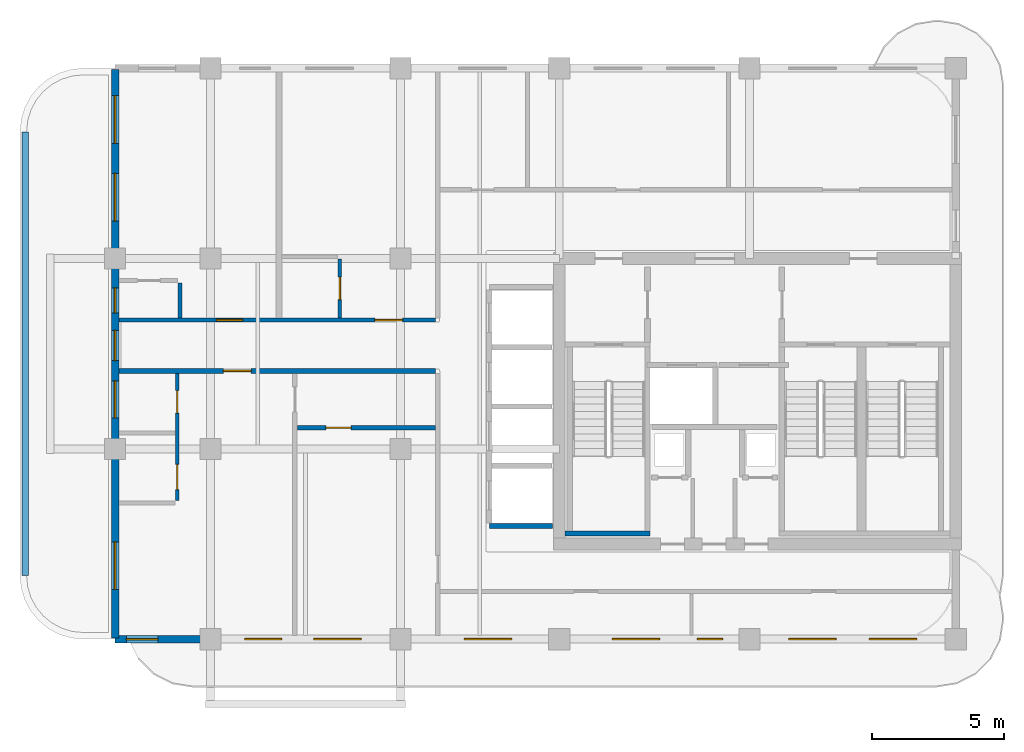
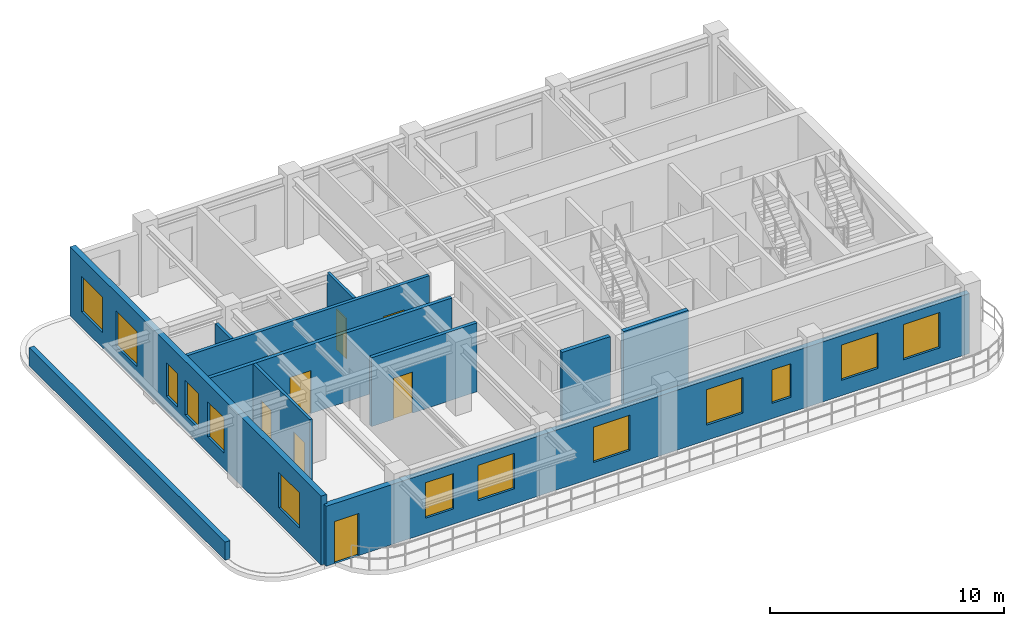
# One storey, part 2 of 7: 13 windows, 11 walls, 8 doors, 21 openings.
"""IFC4 building model written with IfcOpenShell, lengths in metres."""

from ifc_helpers import new_model, si_unit, derived_unit, direction, frame, frame_2d, origin, place, context, subcontext, project, spatial, rectangle, extrude, source, transform, mapped, material, layer, layer_set, type_object, type_shapes, element, fill, save


model = new_model("IFC4")

# Units and contexts
model_context = context("Model", 3, precision=1e-05, world=origin(), true_north=direction((0.0, 1.0)))
body_context = subcontext(model_context, "Body", "Model", "MODEL_VIEW")
ifc_project = project(units=[si_unit("LENGTHUNIT", "METRE"), si_unit("AREAUNIT", "SQUARE_METRE"), si_unit("VOLUMEUNIT", "CUBIC_METRE"), si_unit("PLANEANGLEUNIT", "RADIAN"), si_unit("MASSUNIT", "GRAM", prefix="KILO"), si_unit("THERMODYNAMICTEMPERATUREUNIT", "KELVIN"), si_unit("POWERUNIT", "WATT"), derived_unit("THERMALTRANSMITTANCEUNIT", [(si_unit("POWERUNIT", "WATT"), 1), (si_unit("AREAUNIT", "SQUARE_METRE"), -1), (si_unit("THERMODYNAMICTEMPERATUREUNIT", "KELVIN"), -1)])], contexts=[model_context])

# Site, building, storey
site_placement = place(None, origin())
site = spatial("IfcSite", under=ifc_project, at=site_placement, CompositionType="ELEMENT")
building_placement = place(site_placement, origin())
building = spatial("IfcBuilding", under=site, at=building_placement, Name="Zahravan Archway Hotel and Residences", CompositionType="ELEMENT")
storey_placement = place(building_placement, frame((0.0, 0.0, 251.949951171875)))
storey = spatial("IfcBuildingStorey", under=building, at=storey_placement, Name="L63", CompositionType="ELEMENT", Elevation=251.949951171875)

# Wall, openings, door, windows
ifc_material_1 = material(Name="Honed Red-Ochre Sandstone & Insulated Block", Category="masonry")
ifc_layer_1 = layer(ifc_material_1, 0.280029296875, Name="Honed Red-Ochre Sandstone & Insulated Block", Category="masonry")
ifc_layer_set_1 = layer_set([ifc_layer_1], Name="Honed Red-Ochre Sandstone & Insulated Block")
wall_type_1 = type_object("IfcWallType", Name="EW-LOG-280", PredefinedType="SOLIDWALL", material=ifc_layer_set_1)
wall_1_placement = place(storey_placement, frame((18.0, 0.0, 0.0), z_axis=(0.0, 0.0, 1.0), x_axis=(1.0, 0.0, 0.0)))
wall_1 = element("IfcWall", 1, at=wall_1_placement, inside=storey, type_object=wall_type_1, Name="L63 Exterior Sandstone Wall WA-S", PredefinedType="SOLIDWALL", context=body_context, shape_type="SweptSolid", body=[
    extrude(rectangle(XDim=31.800048828125, YDim=0.280029296875, at=frame_2d((15.89990234375, 0.0))), origin(), (0.0, 0.0, 1.0), 3.135009765625),
])
opening_1_placement = place(wall_1_placement, frame((0.419921875, 0.0, 0.0)))
opening_1 = element("IfcOpeningElement", 2, at=opening_1_placement, cuts=wall_1, Name="Opening ED-BL1", PredefinedType="OPENING", context=body_context, shape_type="SweptSolid", body=[
    extrude(rectangle(XDim=1.199951171875, YDim=2.199951171875, at=frame_2d((0.60009765625, 1.10009765625))), frame((0.0, 0.14990234375, 0.0), z_axis=(0.0, -1.0, 0.0), x_axis=(1.0, 0.0, 0.0)), (0.0, 0.0, 1.0), 0.300048828125),
])
opening_2_placement = place(wall_1_placement, frame((4.89599609375, 0.0, 0.800048828125)))
opening_2 = element("IfcOpeningElement", 3, at=opening_2_placement, cuts=wall_1, Name="Opening W-03", PredefinedType="OPENING", context=body_context, shape_type="SweptSolid", body=[
    extrude(rectangle(XDim=1.39990234375, YDim=1.85009765625, at=frame_2d((0.699951171875, 0.925048828125))), frame((0.0, 0.14990234375, 0.0), z_axis=(0.0, -1.0, 0.0), x_axis=(1.0, 0.0, 0.0)), (0.0, 0.0, 1.0), 0.300048828125),
])
opening_3_placement = place(wall_1_placement, frame((7.50390625, 0.0, 0.800048828125)))
opening_3 = element("IfcOpeningElement", 4, at=opening_3_placement, cuts=wall_1, Name="Opening W-02", PredefinedType="OPENING", context=body_context, shape_type="SweptSolid", body=[
    extrude(rectangle(XDim=1.800048828125, YDim=1.85009765625, at=frame_2d((0.89990234375, 0.925048828125))), frame((0.0, 0.14990234375, 0.0), z_axis=(0.0, -1.0, 0.0), x_axis=(1.0, 0.0, 0.0)), (0.0, 0.0, 1.0), 0.300048828125),
])
opening_4_placement = place(wall_1_placement, frame((13.2041015625, 0.0, 0.800048828125)))
opening_4 = element("IfcOpeningElement", 5, at=opening_4_placement, cuts=wall_1, Name="Opening W-02", PredefinedType="OPENING", context=body_context, shape_type="SweptSolid", body=[
    extrude(rectangle(XDim=1.800048828125, YDim=1.85009765625, at=frame_2d((0.89990234375, 0.925048828125))), frame((0.0, 0.14990234375, 0.0), z_axis=(0.0, -1.0, 0.0), x_axis=(1.0, 0.0, 0.0)), (0.0, 0.0, 1.0), 0.300048828125),
])
opening_5_placement = place(wall_1_placement, frame((18.7958984375, 0.0, 0.800048828125)))
opening_5 = element("IfcOpeningElement", 6, at=opening_5_placement, cuts=wall_1, Name="Opening W-02", PredefinedType="OPENING", context=body_context, shape_type="SweptSolid", body=[
    extrude(rectangle(XDim=1.800048828125, YDim=1.85009765625, at=frame_2d((0.89990234375, 0.925048828125))), frame((0.0, 0.14990234375, 0.0), z_axis=(0.0, -1.0, 0.0), x_axis=(1.0, 0.0, 0.0)), (0.0, 0.0, 1.0), 0.300048828125),
])
opening_6_placement = place(wall_1_placement, frame((22.029052734375, 0.0, 0.800048828125)))
opening_6 = element("IfcOpeningElement", 7, at=opening_6_placement, cuts=wall_1, Name="Opening W-04", PredefinedType="OPENING", context=body_context, shape_type="SweptSolid", body=[
    extrude(rectangle(XDim=0.949951171875, YDim=1.75, at=frame_2d((0.47509765625, 0.875))), frame((0.0, 0.14990234375, 0.0), z_axis=(0.0, -1.0, 0.0), x_axis=(1.0, 0.0, 0.0)), (0.0, 0.0, 1.0), 0.300048828125),
])
opening_7_placement = place(wall_1_placement, frame((25.47509765625, 0.0, 0.800048828125)))
opening_7 = element("IfcOpeningElement", 8, at=opening_7_placement, cuts=wall_1, Name="Opening W-02", PredefinedType="OPENING", context=body_context, shape_type="SweptSolid", body=[
    extrude(rectangle(XDim=1.800048828125, YDim=1.85009765625, at=frame_2d((0.89990234375, 0.925048828125))), frame((0.0, 0.14990234375, 0.0), z_axis=(0.0, -1.0, 0.0), x_axis=(1.0, 0.0, 0.0)), (0.0, 0.0, 1.0), 0.300048828125),
])
opening_8_placement = place(wall_1_placement, frame((28.52490234375, 0.0, 0.800048828125)))
opening_8 = element("IfcOpeningElement", 9, at=opening_8_placement, cuts=wall_1, Name="Opening W-02", PredefinedType="OPENING", context=body_context, shape_type="SweptSolid", body=[
    extrude(rectangle(XDim=1.800048828125, YDim=1.85009765625, at=frame_2d((0.89990234375, 0.925048828125))), frame((0.0, 0.14990234375, 0.0), z_axis=(0.0, -1.0, 0.0), x_axis=(1.0, 0.0, 0.0)), (0.0, 0.0, 1.0), 0.300048828125),
])
ifc_material_2 = material(Name="Bronze-Anodized Glazed Aluminium", Category="aluminium")
door_type_1 = type_object("IfcDoorType", Name="ED-BALC-1200", OperationType="SLIDING_TO_LEFT", PredefinedType="DOOR", material=ifc_material_2)
shared_shape_1 = source(origin(), body_context, "Body", "SweptSolid", [
    extrude(rectangle(XDim=1.199951171875, YDim=2.199951171875, at=frame_2d((0.60009765625, 1.10009765625))), frame((0.0, 0.02490234375, 0.0), z_axis=(0.0, -1.0, 0.0), x_axis=(1.0, 0.0, 0.0)), (0.0, 0.0, 1.0), 0.050048828125),
])
type_shapes(door_type_1, [shared_shape_1])
door_1_placement = place(opening_1_placement, origin())
door_1 = element("IfcDoor", 10, at=door_1_placement, inside=storey, type_object=door_type_1, Name="L63 Outdoor Access Sliding Door (SLB-BAL-L63-SA)", OperationType="SLIDING_TO_LEFT", OverallHeight=2.199951171875, OverallWidth=1.199951171875, PredefinedType="DOOR", context=body_context, shape_type="MappedRepresentation", body=[
    mapped(shared_shape_1, transform((0.0, 0.0, 0.0), scale=1.0)),
])
fill(opening_1, door_1)
ifc_material_3 = material(Name="Bronze-Anodized Thermal-Break Aluminium & Low-E Glass", Category="aluminium")
window_type_1 = type_object("IfcWindowType", Name="WIN-TWR-1400", PartitioningType="SINGLE_PANEL", PredefinedType="WINDOW", material=ifc_material_3)
shared_shape_2 = source(origin(), body_context, "Body", "SweptSolid", [
    extrude(rectangle(XDim=1.39990234375, YDim=1.85009765625, at=frame_2d((0.699951171875, 0.925048828125))), frame((0.0, 0.030029296875, 0.0), z_axis=(0.0, -1.0, 0.0), x_axis=(1.0, 0.0, 0.0)), (0.0, 0.0, 1.0), 0.06005859375),
])
type_shapes(window_type_1, [shared_shape_2])
window_1_placement = place(opening_2_placement, origin())
window_1 = element("IfcWindow", 11, at=window_1_placement, inside=storey, type_object=window_type_1, Name="L63 Loggia Window 01", OverallHeight=1.85009765625, OverallWidth=1.39990234375, PartitioningType="SINGLE_PANEL", PredefinedType="WINDOW", context=body_context, shape_type="MappedRepresentation", body=[
    mapped(shared_shape_2, transform((0.0, 0.0, 0.0), scale=1.0)),
])
fill(opening_2, window_1)
window_type_2 = type_object("IfcWindowType", Name="WIN-NAR-950", PartitioningType="SINGLE_PANEL", PredefinedType="WINDOW", material=ifc_material_3)
shared_shape_3 = source(origin(), body_context, "Body", "SweptSolid", [
    extrude(rectangle(XDim=0.949951171875, YDim=1.75, at=frame_2d((0.47509765625, 0.875))), frame((0.0, 0.030029296875, 0.0), z_axis=(0.0, -1.0, 0.0), x_axis=(1.0, 0.0, 0.0)), (0.0, 0.0, 1.0), 0.06005859375),
])
type_shapes(window_type_2, [shared_shape_3])
window_2_placement = place(opening_6_placement, origin())
window_2 = element("IfcWindow", 12, at=window_2_placement, inside=storey, type_object=window_type_2, Name="L63 Loggia Window 05", OverallHeight=1.75, OverallWidth=0.949951171875, PartitioningType="SINGLE_PANEL", PredefinedType="WINDOW", context=body_context, shape_type="MappedRepresentation", body=[
    mapped(shared_shape_3, transform((0.0, 0.0, 0.0), scale=1.0)),
])
fill(opening_6, window_2)
window_type_3 = type_object("IfcWindowType", Name="WIN-TWR-1800", PartitioningType="DOUBLE_PANEL_VERTICAL", PredefinedType="WINDOW", material=ifc_material_3)
shared_shape_4 = source(origin(), body_context, "Body", "SweptSolid", [
    extrude(rectangle(XDim=1.800048828125, YDim=1.85009765625, at=frame_2d((0.89990234375, 0.925048828125))), frame((0.0, 0.030029296875, 0.0), z_axis=(0.0, -1.0, 0.0), x_axis=(1.0, 0.0, 0.0)), (0.0, 0.0, 1.0), 0.06005859375),
])
type_shapes(window_type_3, [shared_shape_4])
window_3_placement = place(opening_3_placement, origin())
window_3 = element("IfcWindow", 13, at=window_3_placement, inside=storey, type_object=window_type_3, Name="L63 Loggia Window 02", OverallHeight=1.85009765625, OverallWidth=1.800048828125, PartitioningType="DOUBLE_PANEL_VERTICAL", PredefinedType="WINDOW", context=body_context, shape_type="MappedRepresentation", body=[
    mapped(shared_shape_4, transform((0.0, 0.0, 0.0), scale=1.0)),
])
fill(opening_3, window_3)
window_4_placement = place(opening_4_placement, origin())
window_4 = element("IfcWindow", 14, at=window_4_placement, inside=storey, type_object=window_type_3, Name="L63 Loggia Window 03", OverallHeight=1.85009765625, OverallWidth=1.800048828125, PartitioningType="DOUBLE_PANEL_VERTICAL", PredefinedType="WINDOW", context=body_context, shape_type="MappedRepresentation", body=[
    mapped(shared_shape_4, transform((0.0, 0.0, 0.0), scale=1.0)),
])
fill(opening_4, window_4)
window_5_placement = place(opening_5_placement, origin())
window_5 = element("IfcWindow", 15, at=window_5_placement, inside=storey, type_object=window_type_3, Name="L63 Loggia Window 04", OverallHeight=1.85009765625, OverallWidth=1.800048828125, PartitioningType="DOUBLE_PANEL_VERTICAL", PredefinedType="WINDOW", context=body_context, shape_type="MappedRepresentation", body=[
    mapped(shared_shape_4, transform((0.0, 0.0, 0.0), scale=1.0)),
])
fill(opening_5, window_5)
window_6_placement = place(opening_7_placement, origin())
window_6 = element("IfcWindow", 16, at=window_6_placement, inside=storey, type_object=window_type_3, Name="L63 Loggia Window 06", OverallHeight=1.85009765625, OverallWidth=1.800048828125, PartitioningType="DOUBLE_PANEL_VERTICAL", PredefinedType="WINDOW", context=body_context, shape_type="MappedRepresentation", body=[
    mapped(shared_shape_4, transform((0.0, 0.0, 0.0), scale=1.0)),
])
fill(opening_7, window_6)
window_7_placement = place(opening_8_placement, origin())
window_7 = element("IfcWindow", 17, at=window_7_placement, inside=storey, type_object=window_type_3, Name="L63 Loggia Window 07", OverallHeight=1.85009765625, OverallWidth=1.800048828125, PartitioningType="DOUBLE_PANEL_VERTICAL", PredefinedType="WINDOW", context=body_context, shape_type="MappedRepresentation", body=[
    mapped(shared_shape_4, transform((0.0, 0.0, 0.0), scale=1.0)),
])
fill(opening_8, window_7)

# Wall, openings, windows
wall_2_placement = place(storey_placement, frame((18.0, 0.050048828125, 0.0), z_axis=(0.0, 0.0, 1.0), x_axis=(0.0, 1.0, 0.0)))
wall_2 = element("IfcWall", 18, at=wall_2_placement, inside=storey, type_object=wall_type_1, Name="L63 Exterior Sandstone Wall WA-W", PredefinedType="SOLIDWALL", context=body_context, shape_type="SweptSolid", body=[
    extrude(rectangle(XDim=21.5, YDim=0.280029296875, at=frame_2d((10.75, 0.0))), origin(), (0.0, 0.0, 1.0), 3.60009765625),
])
opening_9_placement = place(wall_2_placement, frame((1.8310546875, 0.0, 0.800048828125)))
opening_9 = element("IfcOpeningElement", 19, at=opening_9_placement, cuts=wall_2, Name="Opening W-02", PredefinedType="OPENING", context=body_context, shape_type="SweptSolid", body=[
    extrude(rectangle(XDim=1.800048828125, YDim=1.85009765625, at=frame_2d((0.89990234375, 0.925048828125))), frame((0.0, 0.14990234375, 0.0), z_axis=(0.0, -1.0, 0.0), x_axis=(1.0, 0.0, 0.0)), (0.0, 0.0, 1.0), 0.300048828125),
])
opening_10_placement = place(wall_2_placement, frame((8.321044921875, 0.0, 0.800048828125)))
opening_10 = element("IfcOpeningElement", 20, at=opening_10_placement, cuts=wall_2, Name="Opening W-03", PredefinedType="OPENING", context=body_context, shape_type="SweptSolid", body=[
    extrude(rectangle(XDim=1.39990234375, YDim=1.85009765625, at=frame_2d((0.699951171875, 0.925048828125))), frame((0.0, 0.14990234375, 0.0), z_axis=(0.0, -1.0, 0.0), x_axis=(1.0, 0.0, 0.0)), (0.0, 0.0, 1.0), 0.300048828125),
])
opening_11_placement = place(wall_2_placement, frame((10.485107421875, 0.0, 0.800048828125)))
opening_11 = element("IfcOpeningElement", 21, at=opening_11_placement, cuts=wall_2, Name="Opening W-05", PredefinedType="OPENING", context=body_context, shape_type="SweptSolid", body=[
    extrude(rectangle(XDim=1.14990234375, YDim=1.800048828125, at=frame_2d((0.574951171875, 0.89990234375))), frame((0.0, 0.14990234375, 0.0), z_axis=(0.0, -1.0, 0.0), x_axis=(1.0, 0.0, 0.0)), (0.0, 0.0, 1.0), 0.300048828125),
])
opening_12_placement = place(wall_2_placement, frame((12.294921875, 0.0, 0.800048828125)))
opening_12 = element("IfcOpeningElement", 22, at=opening_12_placement, cuts=wall_2, Name="Opening W-04", PredefinedType="OPENING", context=body_context, shape_type="SweptSolid", body=[
    extrude(rectangle(XDim=0.949951171875, YDim=1.75, at=frame_2d((0.47509765625, 0.875))), frame((0.0, 0.14990234375, 0.0), z_axis=(0.0, -1.0, 0.0), x_axis=(1.0, 0.0, 0.0)), (0.0, 0.0, 1.0), 0.300048828125),
])
opening_13_placement = place(wall_2_placement, frame((15.77001953125, 0.0, 0.800048828125)))
opening_13 = element("IfcOpeningElement", 23, at=opening_13_placement, cuts=wall_2, Name="Opening W-02", PredefinedType="OPENING", context=body_context, shape_type="SweptSolid", body=[
    extrude(rectangle(XDim=1.800048828125, YDim=1.85009765625, at=frame_2d((0.89990234375, 0.925048828125))), frame((0.0, 0.14990234375, 0.0), z_axis=(0.0, -1.0, 0.0), x_axis=(1.0, 0.0, 0.0)), (0.0, 0.0, 1.0), 0.300048828125),
])
opening_14_placement = place(wall_2_placement, frame((18.7099609375, 0.0, 0.800048828125)))
opening_14 = element("IfcOpeningElement", 24, at=opening_14_placement, cuts=wall_2, Name="Opening W-02", PredefinedType="OPENING", context=body_context, shape_type="SweptSolid", body=[
    extrude(rectangle(XDim=1.800048828125, YDim=1.85009765625, at=frame_2d((0.89990234375, 0.925048828125))), frame((0.0, 0.14990234375, 0.0), z_axis=(0.0, -1.0, 0.0), x_axis=(1.0, 0.0, 0.0)), (0.0, 0.0, 1.0), 0.300048828125),
])
window_8_placement = place(opening_10_placement, origin())
window_8 = element("IfcWindow", 25, at=window_8_placement, inside=storey, type_object=window_type_1, Name="L63 Loggia Window 18", OverallHeight=1.85009765625, OverallWidth=1.39990234375, PartitioningType="SINGLE_PANEL", PredefinedType="WINDOW", context=body_context, shape_type="MappedRepresentation", body=[
    mapped(shared_shape_2, transform((0.0, 0.0, 0.0), scale=1.0)),
])
fill(opening_10, window_8)
window_9_placement = place(opening_12_placement, origin())
window_9 = element("IfcWindow", 26, at=window_9_placement, inside=storey, type_object=window_type_2, Name="L63 Loggia Window 20", OverallHeight=1.75, OverallWidth=0.949951171875, PartitioningType="SINGLE_PANEL", PredefinedType="WINDOW", context=body_context, shape_type="MappedRepresentation", body=[
    mapped(shared_shape_3, transform((0.0, 0.0, 0.0), scale=1.0)),
])
fill(opening_12, window_9)
window_10_placement = place(opening_9_placement, origin())
window_10 = element("IfcWindow", 27, at=window_10_placement, inside=storey, type_object=window_type_3, Name="L63 Loggia Window 17", OverallHeight=1.85009765625, OverallWidth=1.800048828125, PartitioningType="DOUBLE_PANEL_VERTICAL", PredefinedType="WINDOW", context=body_context, shape_type="MappedRepresentation", body=[
    mapped(shared_shape_4, transform((0.0, 0.0, 0.0), scale=1.0)),
])
fill(opening_9, window_10)
window_11_placement = place(opening_13_placement, origin())
window_11 = element("IfcWindow", 28, at=window_11_placement, inside=storey, type_object=window_type_3, Name="L63 Loggia Window 21", OverallHeight=1.85009765625, OverallWidth=1.800048828125, PartitioningType="DOUBLE_PANEL_VERTICAL", PredefinedType="WINDOW", context=body_context, shape_type="MappedRepresentation", body=[
    mapped(shared_shape_4, transform((0.0, 0.0, 0.0), scale=1.0)),
])
fill(opening_13, window_11)
window_12_placement = place(opening_14_placement, origin())
window_12 = element("IfcWindow", 29, at=window_12_placement, inside=storey, type_object=window_type_3, Name="L63 Loggia Window 22", OverallHeight=1.85009765625, OverallWidth=1.800048828125, PartitioningType="DOUBLE_PANEL_VERTICAL", PredefinedType="WINDOW", context=body_context, shape_type="MappedRepresentation", body=[
    mapped(shared_shape_4, transform((0.0, 0.0, 0.0), scale=1.0)),
])
fill(opening_14, window_12)
window_type_4 = type_object("IfcWindowType", Name="WIN-TWR-1150", PartitioningType="SINGLE_PANEL", PredefinedType="WINDOW", material=ifc_material_3)
shared_shape_5 = source(origin(), body_context, "Body", "SweptSolid", [
    extrude(rectangle(XDim=1.14990234375, YDim=1.800048828125, at=frame_2d((0.574951171875, 0.89990234375))), frame((0.0, 0.030029296875, 0.0), z_axis=(0.0, -1.0, 0.0), x_axis=(1.0, 0.0, 0.0)), (0.0, 0.0, 1.0), 0.06005859375),
])
type_shapes(window_type_4, [shared_shape_5])
window_13_placement = place(opening_11_placement, origin())
window_13 = element("IfcWindow", 30, at=window_13_placement, inside=storey, type_object=window_type_4, Name="L63 Loggia Window 19", OverallHeight=1.800048828125, OverallWidth=1.14990234375, PartitioningType="SINGLE_PANEL", PredefinedType="WINDOW", context=body_context, shape_type="MappedRepresentation", body=[
    mapped(shared_shape_5, transform((0.0, 0.0, 0.0), scale=1.0)),
])
fill(opening_11, window_13)

# Wall
ifc_material_4 = material(Name="Agra Buff Sandstone Coping Wall", Category="masonry")
ifc_layer_2 = layer(ifc_material_4, 0.25, Name="Agra Buff Sandstone Coping Wall", Category="masonry")
ifc_layer_set_2 = layer_set([ifc_layer_2], Name="Agra Buff Sandstone Coping Wall")
wall_type_2 = type_object("IfcWallType", Name="EW-PARA-250", PredefinedType="PARAPET", material=ifc_layer_set_2)
wall_3_placement = place(storey_placement, frame((14.60009765625, 2.409912109375, 0.0), z_axis=(0.0, 0.0, 1.0), x_axis=(0.0, 1.0, 0.0)))
element("IfcWall", 31, at=wall_3_placement, inside=storey, type_object=wall_type_2, Name="L63 Roof Coping Parapet 1", PredefinedType="PARAPET", context=body_context, shape_type="SweptSolid", body=[
    extrude(rectangle(XDim=16.7802734375, YDim=0.25, at=frame_2d((8.39013671875, 0.0))), origin(), (0.0, 0.0, 1.0), 0.949951171875),
])

# Wall, openings, doors
ifc_material_5 = material(Name="Fire-Rated Gypsum & Concrete Block", Category="concrete")
ifc_layer_3 = layer(ifc_material_5, 0.159912109375, Name="Fire-Rated Gypsum & Concrete Block", Category="concrete")
ifc_layer_set_3 = layer_set([ifc_layer_3], Name="Fire-Rated Gypsum & Concrete Block")
wall_type_3 = type_object("IfcWallType", Name="PW-CORR-160", PredefinedType="PARTITIONING", material=ifc_layer_set_3)
wall_4_placement = place(storey_placement, frame((18.14794921875, 12.070068359375, 0.0), z_axis=(0.0, 0.0, 1.0), x_axis=(1.0, 0.0, 0.0)))
wall_4 = element("IfcWall", 32, at=wall_4_placement, inside=storey, type_object=wall_type_3, Name="L63 Partition WA-CN", PredefinedType="PARTITIONING", context=body_context, shape_type="SweptSolid", body=[
    extrude(rectangle(XDim=11.962158203125, YDim=0.159912109375, at=frame_2d((5.98095703125, 0.0))), origin(), (0.0, 0.0, 1.0), 3.60009765625),
])
opening_15_placement = place(wall_4_placement, frame((3.677001953125, 0.0, 0.0)))
opening_15 = element("IfcOpeningElement", 33, at=opening_15_placement, cuts=wall_4, Name="Opening D-U2", PredefinedType="OPENING", context=body_context, shape_type="SweptSolid", body=[
    extrude(rectangle(XDim=1.0, YDim=2.199951171875, at=frame_2d((0.5, 1.10009765625))), frame((0.0, 0.08984375, 0.0), z_axis=(0.0, -1.0, 0.0), x_axis=(1.0, 0.0, 0.0)), (0.0, 0.0, 1.0), 0.179931640625),
])
opening_16_placement = place(wall_4_placement, frame((9.677001953125, 0.0, 0.0)))
opening_16 = element("IfcOpeningElement", 34, at=opening_16_placement, cuts=wall_4, Name="Opening D-U1", PredefinedType="OPENING", context=body_context, shape_type="SweptSolid", body=[
    extrude(rectangle(XDim=1.050048828125, YDim=2.25, at=frame_2d((0.52490234375, 1.125))), frame((0.0, 0.08984375, 0.0), z_axis=(0.0, -1.0, 0.0), x_axis=(1.0, 0.0, 0.0)), (0.0, 0.0, 1.0), 0.179931640625),
])
ifc_material_6 = material(Name="Hardwood Veneer Timber", Category="wood")
door_type_2 = type_object("IfcDoorType", Name="ID-UNIT-1050", OperationType="NOTDEFINED", PredefinedType="DOOR", material=ifc_material_6)
shared_shape_6 = source(origin(), body_context, "Body", "SweptSolid", [
    extrude(rectangle(XDim=1.050048828125, YDim=2.25, at=frame_2d((0.52490234375, 1.125))), frame((0.0, 0.02490234375, 0.0), z_axis=(0.0, -1.0, 0.0), x_axis=(1.0, 0.0, 0.0)), (0.0, 0.0, 1.0), 0.050048828125),
])
type_shapes(door_type_2, [shared_shape_6])
door_2_placement = place(opening_16_placement, origin())
door_2 = element("IfcDoor", 35, at=door_2_placement, inside=storey, type_object=door_type_2, Name="L63 Hotel Guestroom 88 Entrance Door", OperationType="SINGLE_SWING_RIGHT", OverallHeight=2.25, OverallWidth=1.050048828125, PredefinedType="DOOR", context=body_context, shape_type="MappedRepresentation", body=[
    mapped(shared_shape_6, transform((0.0, 0.0, 0.0), scale=1.0)),
])
fill(opening_16, door_2)
door_type_3 = type_object("IfcDoorType", Name="ID-UNIT-1000", OperationType="NOTDEFINED", PredefinedType="DOOR", material=ifc_material_6)
shared_shape_7 = source(origin(), body_context, "Body", "SweptSolid", [
    extrude(rectangle(XDim=1.0, YDim=2.199951171875, at=frame_2d((0.5, 1.10009765625))), frame((0.0, 0.02490234375, 0.0), z_axis=(0.0, -1.0, 0.0), x_axis=(1.0, 0.0, 0.0)), (0.0, 0.0, 1.0), 0.050048828125),
])
type_shapes(door_type_3, [shared_shape_7])
door_3_placement = place(opening_15_placement, origin())
door_3 = element("IfcDoor", 36, at=door_3_placement, inside=storey, type_object=door_type_3, Name="L63 Hotel Guestroom 87 Entrance Door", OperationType="SINGLE_SWING_RIGHT", OverallHeight=2.199951171875, OverallWidth=1.0, PredefinedType="DOOR", context=body_context, shape_type="MappedRepresentation", body=[
    mapped(shared_shape_7, transform((0.0, 0.0, 0.0), scale=1.0)),
])
fill(opening_15, door_3)

# Wall, opening, door
ifc_layer_4 = layer(ifc_material_5, 0.179931640625, Name="Fire-Rated Gypsum & Concrete Block", Category="concrete")
ifc_layer_set_4 = layer_set([ifc_layer_4], Name="Fire-Rated Gypsum & Concrete Block")
wall_type_4 = type_object("IfcWallType", Name="PW-CORR-180", PredefinedType="PARTITIONING", material=ifc_layer_set_4)
wall_5_placement = place(storey_placement, frame((18.14794921875, 10.14990234375, 0.0), z_axis=(0.0, 0.0, 1.0), x_axis=(1.0, 0.0, 0.0)))
wall_5 = element("IfcWall", 37, at=wall_5_placement, inside=storey, type_object=wall_type_4, Name="L63 Partition WA-CS", PredefinedType="PARTITIONING", context=body_context, shape_type="SweptSolid", body=[
    extrude(rectangle(XDim=11.962158203125, YDim=0.179931640625, at=frame_2d((5.98095703125, 0.0))), origin(), (0.0, 0.0, 1.0), 3.60009765625),
])
opening_17_placement = place(wall_5_placement, frame((3.94189453125, 0.0, 0.0)))
opening_17 = element("IfcOpeningElement", 38, at=opening_17_placement, cuts=wall_5, Name="Opening D-U1", PredefinedType="OPENING", context=body_context, shape_type="SweptSolid", body=[
    extrude(rectangle(XDim=1.050048828125, YDim=2.25, at=frame_2d((0.52490234375, 1.125))), frame((0.0, 0.10009765625, 0.0), z_axis=(0.0, -1.0, 0.0), x_axis=(1.0, 0.0, 0.0)), (0.0, 0.0, 1.0), 0.199951171875),
])
door_4_placement = place(opening_17_placement, origin())
door_4 = element("IfcDoor", 39, at=door_4_placement, inside=storey, type_object=door_type_2, Name="L63 Flat S1 Entrance Door", OperationType="SINGLE_SWING_RIGHT", OverallHeight=2.25, OverallWidth=1.050048828125, PredefinedType="DOOR", context=body_context, shape_type="MappedRepresentation", body=[
    mapped(shared_shape_6, transform((0.0, 0.0, 0.0), scale=1.0)),
])
fill(opening_17, door_4)

# Wall
ifc_layer_5 = layer(ifc_material_5, 0.199951171875, Name="Fire-Rated Gypsum & Concrete Block", Category="concrete")
ifc_layer_set_5 = layer_set([ifc_layer_5], Name="Fire-Rated Gypsum & Concrete Block")
wall_type_5 = type_object("IfcWallType", Name="PW-SHAFT-200", PredefinedType="PARTITIONING", material=ifc_layer_set_5)
wall_6_placement = place(storey_placement, frame((32.159912109375, 4.280029296875, 0.0), z_axis=(0.0, 0.0, 1.0), x_axis=(1.0, 0.0, 0.0)))
element("IfcWall", 40, at=wall_6_placement, inside=storey, type_object=wall_type_5, Name="L63 Partition B3-S", PredefinedType="PARTITIONING", context=body_context, shape_type="SweptSolid", body=[
    extrude(rectangle(XDim=2.385009765625, YDim=0.199951171875, at=frame_2d((1.1923828125, 0.0))), origin(), (0.0, 0.0, 1.0), 3.60009765625),
])

# Wall, opening, door
ifc_material_7 = material(Name="Acoustic Stud Partition")
ifc_layer_6 = layer(ifc_material_7, 0.169921875, Name="Acoustic Stud Partition")
ifc_layer_set_6 = layer_set([ifc_layer_6], Name="Acoustic Stud Partition")
wall_type_6 = type_object("IfcWallType", Name="PW-UNIT-170", PredefinedType="PARTITIONING", material=ifc_layer_set_6)
wall_7_placement = place(storey_placement, frame((24.889892578125, 8.0, 0.0), z_axis=(0.0, 0.0, 1.0), x_axis=(1.0, 0.0, 0.0)))
wall_7 = element("IfcWall", 41, at=wall_7_placement, inside=storey, type_object=wall_type_6, Name="L63 Partition FL-S1-GH", PredefinedType="PARTITIONING", context=body_context, shape_type="SweptSolid", body=[
    extrude(rectangle(XDim=5.22021484375, YDim=0.169921875, at=frame_2d((2.610107421875, 0.0))), origin(), (0.0, 0.0, 1.0), 3.60009765625),
])
opening_18_placement = place(wall_7_placement, frame((1.0849609375, 0.0, 0.0)))
opening_18 = element("IfcOpeningElement", 42, at=opening_18_placement, cuts=wall_7, Name="Opening D-I1", PredefinedType="OPENING", context=body_context, shape_type="SweptSolid", body=[
    extrude(rectangle(XDim=0.949951171875, YDim=2.14990234375, at=frame_2d((0.47509765625, 1.074951171875))), frame((0.0, 0.094970703125, 0.0), z_axis=(0.0, -1.0, 0.0), x_axis=(1.0, 0.0, 0.0)), (0.0, 0.0, 1.0), 0.18994140625),
])
door_type_4 = type_object("IfcDoorType", Name="ID-INT-950", OperationType="NOTDEFINED", PredefinedType="DOOR", material=ifc_material_6)
shared_shape_8 = source(origin(), body_context, "Body", "SweptSolid", [
    extrude(rectangle(XDim=0.949951171875, YDim=2.14990234375, at=frame_2d((0.47509765625, 1.074951171875))), frame((0.0, 0.02490234375, 0.0), z_axis=(0.0, -1.0, 0.0), x_axis=(1.0, 0.0, 0.0)), (0.0, 0.0, 1.0), 0.050048828125),
])
type_shapes(door_type_4, [shared_shape_8])
door_5_placement = place(opening_18_placement, origin())
door_5 = element("IfcDoor", 43, at=door_5_placement, inside=storey, type_object=door_type_4, Name="L63 Flat S1 Bedroom 1 Door", OperationType="SINGLE_SWING_RIGHT", OverallHeight=2.14990234375, OverallWidth=0.949951171875, PredefinedType="DOOR", context=body_context, shape_type="MappedRepresentation", body=[
    mapped(shared_shape_8, transform((0.0, 0.0, 0.0), scale=1.0)),
])
fill(opening_18, door_5)

# Wall, openings, doors
ifc_material_8 = material(Name="Moisture-Resistant Blockwork", Category="masonry")
ifc_layer_7 = layer(ifc_material_8, 0.139892578125, Name="Moisture-Resistant Blockwork", Category="masonry")
ifc_layer_set_7 = layer_set([ifc_layer_7], Name="Moisture-Resistant Blockwork")
wall_type_7 = type_object("IfcWallType", Name="PW-WET-140", PredefinedType="PARTITIONING", material=ifc_layer_set_7)
wall_8_placement = place(storey_placement, frame((20.35009765625, 5.239990234375, 0.0), z_axis=(0.0, 0.0, 1.0), x_axis=(0.0, 1.0, 0.0)))
wall_8 = element("IfcWall", 44, at=wall_8_placement, inside=storey, type_object=wall_type_7, Name="L63 Partition FL-S1-BV", PredefinedType="PARTITIONING", context=body_context, shape_type="SweptSolid", body=[
    extrude(rectangle(XDim=4.820068359375, YDim=0.139892578125, at=frame_2d((2.41015625, 0.0))), origin(), (0.0, 0.0, 1.0), 3.60009765625),
])
opening_19_placement = place(wall_8_placement, frame((0.422119140625, 0.0, 0.0)))
opening_19 = element("IfcOpeningElement", 45, at=opening_19_placement, cuts=wall_8, Name="Opening D-I1", PredefinedType="OPENING", context=body_context, shape_type="SweptSolid", body=[
    extrude(rectangle(XDim=0.949951171875, YDim=2.14990234375, at=frame_2d((0.47509765625, 1.074951171875))), frame((0.0, 0.080078125, 0.0), z_axis=(0.0, -1.0, 0.0), x_axis=(1.0, 0.0, 0.0)), (0.0, 0.0, 1.0), 0.159912109375),
])
opening_20_placement = place(wall_8_placement, frame((3.31005859375, 0.0, 0.0)))
opening_20 = element("IfcOpeningElement", 46, at=opening_20_placement, cuts=wall_8, Name="Opening D-B1", PredefinedType="OPENING", context=body_context, shape_type="SweptSolid", body=[
    extrude(rectangle(XDim=0.85009765625, YDim=2.10009765625, at=frame_2d((0.425048828125, 1.050048828125))), frame((0.0, 0.080078125, 0.0), z_axis=(0.0, -1.0, 0.0), x_axis=(1.0, 0.0, 0.0)), (0.0, 0.0, 1.0), 0.159912109375),
])
door_type_5 = type_object("IfcDoorType", Name="ID-BATH-850", OperationType="NOTDEFINED", PredefinedType="DOOR", material=ifc_material_6)
shared_shape_9 = source(origin(), body_context, "Body", "SweptSolid", [
    extrude(rectangle(XDim=0.85009765625, YDim=2.10009765625, at=frame_2d((0.425048828125, 1.050048828125))), frame((0.0, 0.02490234375, 0.0), z_axis=(0.0, -1.0, 0.0), x_axis=(1.0, 0.0, 0.0)), (0.0, 0.0, 1.0), 0.050048828125),
])
type_shapes(door_type_5, [shared_shape_9])
door_6_placement = place(opening_20_placement, origin())
door_6 = element("IfcDoor", 47, at=door_6_placement, inside=storey, type_object=door_type_5, Name="L63 Flat S1 Bathroom Door", OperationType="SINGLE_SWING_LEFT", OverallHeight=2.10009765625, OverallWidth=0.85009765625, PredefinedType="DOOR", context=body_context, shape_type="MappedRepresentation", body=[
    mapped(shared_shape_9, transform((0.0, 0.0, 0.0), scale=1.0)),
])
fill(opening_20, door_6)
door_7_placement = place(opening_19_placement, origin())
door_7 = element("IfcDoor", 48, at=door_7_placement, inside=storey, type_object=door_type_4, Name="L63 Flat S1 Kitchen Door", OperationType="SINGLE_SWING_RIGHT", OverallHeight=2.14990234375, OverallWidth=0.949951171875, PredefinedType="DOOR", context=body_context, shape_type="MappedRepresentation", body=[
    mapped(shared_shape_8, transform((0.0, 0.0, 0.0), scale=1.0)),
])
fill(opening_19, door_7)

# Wall
wall_9_placement = place(storey_placement, frame((20.449951171875, 12.159912109375, 0.0), z_axis=(0.0, 0.0, 1.0), x_axis=(0.0, 1.0, 0.0)))
element("IfcWall", 49, at=wall_9_placement, inside=storey, type_object=wall_type_7, Name="L63 Partition HKB-V87", PredefinedType="PARTITIONING", context=body_context, shape_type="SweptSolid", body=[
    extrude(rectangle(XDim=1.320068359375, YDim=0.139892578125, at=frame_2d((0.66015625, 0.0))), origin(), (0.0, 0.0, 1.0), 3.60009765625),
])

# Wall, opening, door
wall_10_placement = place(storey_placement, frame((26.5, 12.159912109375, 0.0), z_axis=(0.0, 0.0, 1.0), x_axis=(0.0, 1.0, 0.0)))
wall_10 = element("IfcWall", 50, at=wall_10_placement, inside=storey, type_object=wall_type_7, Name="L63 Partition HKB-V88", PredefinedType="PARTITIONING", context=body_context, shape_type="SweptSolid", body=[
    extrude(rectangle(XDim=2.219970703125, YDim=0.139892578125, at=frame_2d((1.10986328125, 0.0))), origin(), (0.0, 0.0, 1.0), 3.60009765625),
])
opening_21_placement = place(wall_10_placement, frame((0.68505859375, 0.0, 0.0)))
opening_21 = element("IfcOpeningElement", 51, at=opening_21_placement, cuts=wall_10, Name="Opening D-B1", PredefinedType="OPENING", context=body_context, shape_type="SweptSolid", body=[
    extrude(rectangle(XDim=0.85009765625, YDim=2.10009765625, at=frame_2d((0.425048828125, 1.050048828125))), frame((0.0, 0.080078125, 0.0), z_axis=(0.0, -1.0, 0.0), x_axis=(1.0, 0.0, 0.0)), (0.0, 0.0, 1.0), 0.159912109375),
])
door_8_placement = place(opening_21_placement, origin())
door_8 = element("IfcDoor", 52, at=door_8_placement, inside=storey, type_object=door_type_5, Name="L63 Guestroom 88 En-Suite Door", OperationType="SINGLE_SWING_LEFT", OverallHeight=2.10009765625, OverallWidth=0.85009765625, PredefinedType="DOOR", context=body_context, shape_type="MappedRepresentation", body=[
    mapped(shared_shape_9, transform((0.0, 0.0, 0.0), scale=1.0)),
])
fill(opening_21, door_8)

# Wall
ifc_material_9 = material(Name="Concrete C50/60", Category="concrete")
ifc_layer_8 = layer(ifc_material_9, 0.199951171875, Name="Concrete C50/60", Category="concrete")
ifc_layer_set_8 = layer_set([ifc_layer_8], Name="Concrete C50/60")
wall_type_8 = type_object("IfcWallType", Name="SW-STAIR-200", PredefinedType="SHEAR", material=ifc_layer_set_8)
wall_11_placement = place(storey_placement, frame((35.02490234375, 4.0, 0.0), z_axis=(0.0, 0.0, 1.0), x_axis=(1.0, 0.0, 0.0)))
element("IfcWall", 53, at=wall_11_placement, inside=storey, type_object=wall_type_8, Name="L63 Stairwell RC Wall CA-SA1S", PredefinedType="SHEAR", context=body_context, shape_type="SweptSolid", body=[
    extrude(rectangle(XDim=3.215087890625, YDim=0.199951171875, at=frame_2d((1.607421875, 0.0))), origin(), (0.0, 0.0, 1.0), 3.85009765625),
])

save(model, "model.ifc")
